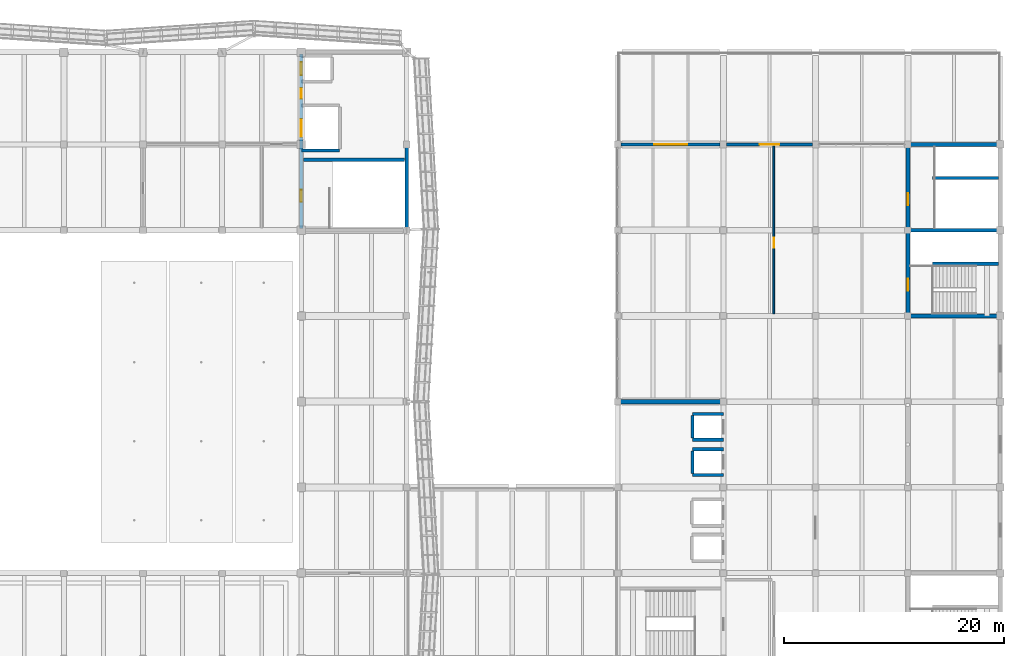
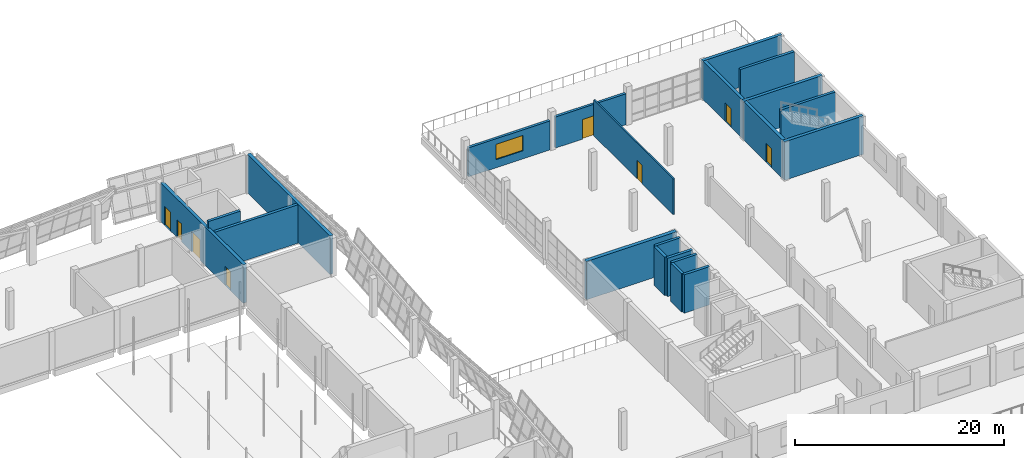
# One storey, part 58 of 71: 21 walls, 8 doors, 1 window, 9 openings.
"""IFC4 building model written with IfcOpenShell, lengths in metres."""

from ifc_helpers import new_model, si_unit, direction, frame, frame_2d, origin, place, context, subcontext, project, spatial, rectangle, extrude, material, layer, layer_set, type_object, element, fill, save


model = new_model("IFC4")

# Units and contexts
model_context = context("Model", 3, precision=1e-05, world=origin(), true_north=direction((0.0, 1.0)))
body_context = subcontext(model_context, "Body", "Model", "MODEL_VIEW")
ifc_project = project(units=[si_unit("LENGTHUNIT", "METRE"), si_unit("AREAUNIT", "SQUARE_METRE"), si_unit("VOLUMEUNIT", "CUBIC_METRE"), si_unit("PLANEANGLEUNIT", "RADIAN"), si_unit("MASSUNIT", "GRAM", prefix="KILO")], contexts=[model_context])

# Site, building, storey
site_placement = place(None, origin())
site = spatial("IfcSite", under=ifc_project, at=site_placement, CompositionType="ELEMENT")
building_placement = place(site_placement, origin())
building = spatial("IfcBuilding", under=site, at=building_placement, Name="Pellamere Symphony Hall", CompositionType="ELEMENT")
storey_placement = place(building_placement, frame((0.0, 0.0, 15.0)))
storey = spatial("IfcBuildingStorey", under=building, at=storey_placement, Name="L03", CompositionType="ELEMENT", Elevation=15.0)

# Wall, opening, window
ifc_material_1 = material(Name="Architectural Limestone-Clad Insulated Backing Assembly", Category="masonry")
ifc_layer_1 = layer(ifc_material_1, 0.280029296875, Name="Architectural Limestone-Clad Insulated Backing Assembly")
ifc_layer_set_1 = layer_set([ifc_layer_1], Name="Architectural Limestone-Clad Insulated Backing Assembly")
wall_type_1 = type_object("IfcWallType", Name="Exterior Wall EW-03 280mm", PredefinedType="SOLIDWALL", material=ifc_layer_set_1)
wall_1_placement = place(storey_placement, frame((138.300048828125, 85.199951171875, 0.0), z_axis=(0.0, 0.0, 1.0), x_axis=(1.0, 0.0, 0.0)))
wall_1 = element("IfcWall", 1, at=wall_1_placement, inside=storey, type_object=wall_type_1, Name="Exterior Wall EW-03-115 (L03)", PredefinedType="SOLIDWALL", context=body_context, shape_type="SweptSolid", body=[
    extrude(rectangle(XDim=9.0, YDim=0.280029296875, at=frame_2d((4.5, 0.0))), origin(), (0.0, 0.0, 1.0), 3.39990234375),
])
opening_1_placement = place(wall_1_placement, frame((3.0, 0.0, 0.949951171875)))
opening_1 = element("IfcOpeningElement", 2, at=opening_1_placement, cuts=wall_1, Name="Opening W077", PredefinedType="OPENING", context=body_context, shape_type="SweptSolid", body=[
    extrude(rectangle(XDim=3.0, YDim=1.800048828125, at=frame_2d((1.5, 0.89990234375))), frame((0.0, 0.14990234375, 0.0), z_axis=(0.0, -1.0, 0.0), x_axis=(1.0, 0.0, 0.0)), (0.0, 0.0, 1.0), 0.300048828125),
])
ifc_material_2 = material(Name="Thermally Broken Aluminium Triple-Glazed Acoustic Window", Category="aluminium")
window_type = type_object("IfcWindowType", Name="Window WN-16 3000x1800", PartitioningType="TRIPLE_PANEL_VERTICAL", PredefinedType="WINDOW", material=ifc_material_2)
window_placement = place(opening_1_placement, origin())
window = element("IfcWindow", 3, at=window_placement, inside=storey, type_object=window_type, Name="Exterior Window W077 (L03)", OverallHeight=1.800048828125, OverallWidth=3.0, PartitioningType="SINGLE_PANEL", PredefinedType="WINDOW", context=body_context, shape_type="SweptSolid", body=[
    extrude(rectangle(XDim=3.0, YDim=1.800048828125, at=frame_2d((1.5, 0.89990234375))), frame((0.0, 0.030029296875, 0.0), z_axis=(0.0, -1.0, 0.0), x_axis=(1.0, 0.0, 0.0)), (0.0, 0.0, 1.0), 0.06005859375),
])
fill(opening_1, window)

# Wall, opening, door
wall_2_placement = place(storey_placement, frame((147.89990234375, 85.199951171875, 0.0), z_axis=(0.0, 0.0, 1.0), x_axis=(1.0, 0.0, 0.0)))
wall_2 = element("IfcWall", 4, at=wall_2_placement, inside=storey, type_object=wall_type_1, Name="Exterior Wall EW-03-116 (L03)", PredefinedType="SOLIDWALL", context=body_context, shape_type="SweptSolid", body=[
    extrude(rectangle(XDim=7.800048828125, YDim=0.280029296875, at=frame_2d((3.89990234375, 0.0))), origin(), (0.0, 0.0, 1.0), 3.639892578125),
])
opening_2_placement = place(wall_2_placement, frame((3.0, 0.0, 0.0)))
opening_2 = element("IfcOpeningElement", 5, at=opening_2_placement, cuts=wall_2, Name="Opening TD-11", PredefinedType="OPENING", context=body_context, shape_type="SweptSolid", body=[
    extrude(rectangle(XDim=1.800048828125, YDim=2.300048828125, at=frame_2d((0.89990234375, 1.14990234375))), frame((0.0, 0.14990234375, 0.0), z_axis=(0.0, -1.0, 0.0), x_axis=(1.0, 0.0, 0.0)), (0.0, 0.0, 1.0), 0.300048828125),
])
ifc_material_3 = material(Name="Thermally Broken Bronze-Anodised Aluminium Acoustic Door", Category="aluminium")
door_type_1 = type_object("IfcDoorType", Name="Exterior Door ED-06 1800x2300", OperationType="NOTDEFINED", PredefinedType="DOOR", material=ifc_material_3)
door_1_placement = place(opening_2_placement, origin())
door_1 = element("IfcDoor", 6, at=door_1_placement, inside=storey, type_object=door_type_1, Name="Ensemble Wing North Terrace Door", OperationType="DOUBLE_DOOR_SINGLE_SWING", OverallHeight=2.300048828125, OverallWidth=1.800048828125, PredefinedType="DOOR", context=body_context, shape_type="SweptSolid", body=[
    extrude(rectangle(XDim=1.800048828125, YDim=2.300048828125, at=frame_2d((0.89990234375, 1.14990234375))), frame((0.0, 0.02490234375, 0.0), z_axis=(0.0, -1.0, 0.0), x_axis=(1.0, 0.0, 0.0)), (0.0, 0.0, 1.0), 0.050048828125),
])
fill(opening_2, door_1)

ifc_material_4 = material(Name="Practice Room STC-55 Isolated Stud Partition", Category="gypsum")
ifc_layer_2 = layer(ifc_material_4, 0.159912109375, Name="Practice Room STC-55 Isolated Stud Partition")
ifc_layer_set_2 = layer_set([ifc_layer_2], Name="Practice Room STC-55 Isolated Stud Partition")
wall_type_2 = type_object("IfcWallType", Name="Interior Partition IW-03 160mm", PredefinedType="PARTITIONING", material=ifc_layer_set_2)
wall_3_placement = place(storey_placement, frame((152.199951171875, 69.780029296875, 0.0), z_axis=(0.0, 0.0, 1.0), x_axis=(0.0, 1.0, 0.0)))
wall_3 = element("IfcWall", 7, at=wall_3_placement, inside=storey, type_object=wall_type_2, Name="Interior Partition IW-03-093 (L03)", PredefinedType="PARTITIONING", context=body_context, shape_type="SweptSolid", body=[
    extrude(rectangle(XDim=15.27001953125, YDim=0.159912109375, at=frame_2d((7.635009765625, 0.0))), origin(), (0.0, 0.0, 1.0), 4.18994140625),
])
opening_3_placement = place(wall_3_placement, frame((6.0, 0.0, 0.0)))
opening_3 = element("IfcOpeningElement", 8, at=opening_3_placement, cuts=wall_3, Name="Opening ID-RM1-054", PredefinedType="OPENING", context=body_context, shape_type="SweptSolid", body=[
    extrude(rectangle(XDim=0.949951171875, YDim=2.14990234375, at=frame_2d((0.47509765625, 1.074951171875))), frame((0.0, 0.08984375, 0.0), z_axis=(0.0, -1.0, 0.0), x_axis=(1.0, 0.0, 0.0)), (0.0, 0.0, 1.0), 0.179931640625),
])
ifc_material_5 = material(Name="Solid-Core White Oak Room Door", Category="wood")
door_type_2 = type_object("IfcDoorType", Name="Interior Door ID-RM1 950x2150", OperationType="NOTDEFINED", PredefinedType="DOOR", material=ifc_material_5)
door_2_placement = place(opening_3_placement, origin())
door_2 = element("IfcDoor", 9, at=door_2_placement, inside=storey, type_object=door_type_2, Name="Orchestra Management Door", OperationType="SINGLE_SWING_LEFT", OverallHeight=2.14990234375, OverallWidth=0.949951171875, PredefinedType="DOOR", context=body_context, shape_type="SweptSolid", body=[
    extrude(rectangle(XDim=0.949951171875, YDim=2.14990234375, at=frame_2d((0.47509765625, 1.074951171875))), frame((0.0, 0.02490234375, 0.0), z_axis=(0.0, -1.0, 0.0), x_axis=(1.0, 0.0, 0.0)), (0.0, 0.0, 1.0), 0.050048828125),
])
fill(opening_3, door_2)

# Wall
ifc_material_6 = material(Name="Concrete 50 MPa", Category="concrete")
ifc_layer_3 = layer(ifc_material_6, 0.39990234375, Name="Concrete 50 MPa")
ifc_layer_set_3 = layer_set([ifc_layer_3], Name="Concrete 50 MPa")
wall_type_3 = type_object("IfcWallType", Name="Structural Wall SW-02 400mm", PredefinedType="SHEAR", material=ifc_layer_set_3)
wall_4_placement = place(storey_placement, frame((137.800048828125, 61.800048828125, 0.0), z_axis=(0.0, 0.0, 1.0), x_axis=(1.0, 0.0, 0.0)))
element("IfcWall", 10, at=wall_4_placement, inside=storey, type_object=wall_type_3, Name="Core Shear Wall C2 N (L03)", PredefinedType="SHEAR", context=body_context, shape_type="SweptSolid", body=[
    extrude(rectangle(XDim=10.0, YDim=0.39990234375, at=frame_2d((5.0, 0.0))), origin(), (0.0, 0.0, 1.0), 4.5),
])

# Wall, openings, doors
ifc_material_7 = material(Name="Concrete 40 MPa", Category="concrete")
ifc_layer_4 = layer(ifc_material_7, 0.35009765625, Name="Concrete 40 MPa")
ifc_layer_set_4 = layer_set([ifc_layer_4], Name="Concrete 40 MPa")
wall_type_4 = type_object("IfcWallType", Name="Structural Wall SW-03 350mm", PredefinedType="SHEAR", material=ifc_layer_set_4)
wall_5_placement = place(storey_placement, frame((109.199951171875, 77.574951171875, 0.0), z_axis=(0.0, 0.0, 1.0), x_axis=(0.0, 1.0, 0.0)))
wall_5 = element("IfcWall", 11, at=wall_5_placement, inside=storey, type_object=wall_type_4, Name="Core Shear Wall C4 W (L03)", PredefinedType="SHEAR", context=body_context, shape_type="SweptSolid", body=[
    extrude(rectangle(XDim=15.85009765625, YDim=0.35009765625, at=frame_2d((7.925048828125, 0.0))), origin(), (0.0, 0.0, 1.0), 4.5),
])
opening_4_placement = place(wall_5_placement, frame((8.324951171875, 0.0, 0.0)))
opening_4 = element("IfcOpeningElement", 12, at=opening_4_placement, cuts=wall_5, Name="Opening LD-49", PredefinedType="OPENING", context=body_context, shape_type="SweptSolid", body=[
    extrude(rectangle(XDim=1.60009765625, YDim=2.39990234375, at=frame_2d((0.800048828125, 1.199951171875))), frame((0.0, 0.18505859375, 0.0), z_axis=(0.0, -1.0, 0.0), x_axis=(1.0, 0.0, 0.0)), (0.0, 0.0, 1.0), 0.3701171875),
])
opening_5_placement = place(wall_5_placement, frame((13.925048828125, 0.0, 0.0)))
opening_5 = element("IfcOpeningElement", 13, at=opening_5_placement, cuts=wall_5, Name="Opening LD-54", PredefinedType="OPENING", context=body_context, shape_type="SweptSolid", body=[
    extrude(rectangle(XDim=1.199951171875, YDim=2.199951171875, at=frame_2d((0.60009765625, 1.10009765625))), frame((0.0, 0.18505859375, 0.0), z_axis=(0.0, -1.0, 0.0), x_axis=(1.0, 0.0, 0.0)), (0.0, 0.0, 1.0), 0.3701171875),
])
opening_6_placement = place(wall_5_placement, frame((11.7900390625, 0.0, 0.0)))
opening_6 = element("IfcOpeningElement", 14, at=opening_6_placement, cuts=wall_5, Name="Opening FD-126", PredefinedType="OPENING", context=body_context, shape_type="SweptSolid", body=[
    extrude(rectangle(XDim=0.949951171875, YDim=2.10009765625, at=frame_2d((0.47509765625, 1.050048828125))), frame((0.0, 0.18505859375, 0.0), z_axis=(0.0, -1.0, 0.0), x_axis=(1.0, 0.0, 0.0)), (0.0, 0.0, 1.0), 0.3701171875),
])
opening_7_placement = place(wall_5_placement, frame((2.39990234375, 0.0, 0.0)))
opening_7 = element("IfcOpeningElement", 15, at=opening_7_placement, cuts=wall_5, Name="Opening SD-21", PredefinedType="OPENING", context=body_context, shape_type="SweptSolid", body=[
    extrude(rectangle(XDim=1.10009765625, YDim=2.199951171875, at=frame_2d((0.550048828125, 1.10009765625))), frame((0.0, 0.18505859375, 0.0), z_axis=(0.0, -1.0, 0.0), x_axis=(1.0, 0.0, 0.0)), (0.0, 0.0, 1.0), 0.3701171875),
])
ifc_material_8 = material(Name="Two-Hour Fire-Rated Steel Compartment Door", Category="steel")
door_type_3 = type_object("IfcDoorType", Name="Interior Door ID-FD3 950x2100", OperationType="NOTDEFINED", PredefinedType="DOOR", material=ifc_material_8)
door_3_placement = place(opening_6_placement, origin())
door_3 = element("IfcDoor", 16, at=door_3_placement, inside=storey, type_object=door_type_3, Name="Core C4 Stage Service and Riser Door (L03)", OperationType="SINGLE_SWING_LEFT", OverallHeight=2.10009765625, OverallWidth=0.949951171875, PredefinedType="DOOR", context=body_context, shape_type="SweptSolid", body=[
    extrude(rectangle(XDim=0.949951171875, YDim=2.10009765625, at=frame_2d((0.47509765625, 1.050048828125))), frame((0.0, 0.02490234375, 0.0), z_axis=(0.0, -1.0, 0.0), x_axis=(1.0, 0.0, 0.0)), (0.0, 0.0, 1.0), 0.050048828125),
])
fill(opening_6, door_3)
ifc_material_9 = material(Name="Stainless Steel AISI 316 Elevator Landing Door", Category="steel")
door_type_4 = type_object("IfcDoorType", Name="Interior Door ID-LD1 1200x2200", OperationType="NOTDEFINED", PredefinedType="DOOR", material=ifc_material_9)
door_4_placement = place(opening_5_placement, origin())
door_4 = element("IfcDoor", 17, at=door_4_placement, inside=storey, type_object=door_type_4, Name="Elevator PL6 Sliding Landing Door (L03)", OperationType="SLIDING_TO_RIGHT", OverallHeight=2.199951171875, OverallWidth=1.199951171875, PredefinedType="DOOR", context=body_context, shape_type="SweptSolid", body=[
    extrude(rectangle(XDim=1.199951171875, YDim=2.199951171875, at=frame_2d((0.60009765625, 1.10009765625))), frame((0.0, 0.02490234375, 0.0), z_axis=(0.0, -1.0, 0.0), x_axis=(1.0, 0.0, 0.0)), (0.0, 0.0, 1.0), 0.050048828125),
])
fill(opening_5, door_4)
ifc_material_10 = material(Name="Heavy-Duty Stainless Freight Elevator Landing Door", Category="steel")
door_type_5 = type_object("IfcDoorType", Name="Interior Door ID-LD2 1600x2400", OperationType="NOTDEFINED", PredefinedType="DOOR", material=ifc_material_10)
door_5_placement = place(opening_4_placement, origin())
door_5 = element("IfcDoor", 18, at=door_5_placement, inside=storey, type_object=door_type_5, Name="Elevator GL1 Sliding Landing Door (L03)", OperationType="SLIDING_TO_LEFT", OverallHeight=2.39990234375, OverallWidth=1.60009765625, PredefinedType="DOOR", context=body_context, shape_type="SweptSolid", body=[
    extrude(rectangle(XDim=1.60009765625, YDim=2.39990234375, at=frame_2d((0.800048828125, 1.199951171875))), frame((0.0, 0.02490234375, 0.0), z_axis=(0.0, -1.0, 0.0), x_axis=(1.0, 0.0, 0.0)), (0.0, 0.0, 1.0), 0.050048828125),
])
fill(opening_4, door_5)
ifc_material_11 = material(Name="Fire-Rated Steel Exit Stair Door", Category="steel")
door_type_6 = type_object("IfcDoorType", Name="Interior Door ID-SD1 1100x2200", OperationType="NOTDEFINED", PredefinedType="DOOR", material=ifc_material_11)
door_6_placement = place(opening_7_placement, frame((1.10009765625, 0.0, 0.0), z_axis=(0.0, 0.0, 1.0), x_axis=(-1.0, 0.0, 0.0)))
door_6 = element("IfcDoor", 19, at=door_6_placement, inside=storey, type_object=door_type_6, Name="Core C4 Exit Stair Door (L03)", OperationType="SINGLE_SWING_LEFT", OverallHeight=2.199951171875, OverallWidth=1.10009765625, PredefinedType="DOOR", context=body_context, shape_type="SweptSolid", body=[
    extrude(rectangle(XDim=1.10009765625, YDim=2.199951171875, at=frame_2d((0.550048828125, 1.10009765625))), frame((0.0, 0.02490234375, 0.0), z_axis=(0.0, -1.0, 0.0), x_axis=(1.0, 0.0, 0.0)), (0.0, 0.0, 1.0), 0.050048828125),
])
fill(opening_7, door_6)

# Walls
wall_6_placement = place(storey_placement, frame((118.800048828125, 77.574951171875, 0.0), z_axis=(0.0, 0.0, 1.0), x_axis=(0.0, 1.0, 0.0)))
element("IfcWall", 20, at=wall_6_placement, inside=storey, type_object=wall_type_4, Name="Core Shear Wall C4 E (L03)", PredefinedType="SHEAR", context=body_context, shape_type="SweptSolid", body=[
    extrude(rectangle(XDim=15.85009765625, YDim=0.35009765625, at=frame_2d((7.925048828125, 0.0))), origin(), (0.0, 0.0, 1.0), 4.5),
])
for number, where, z_axis, x_axis, name in (
    (21, (164.22509765625, 69.60009765625, 0.0), (0.0, 0.0, 1.0), (1.0, 0.0, 0.0), "Stair ST05 Enclosure Wall S (L03)"),
    (22, (164.22509765625, 77.39990234375, 0.0), (0.0, 0.0, 1.0), (1.0, 0.0, 0.0), "Stair ST05 Enclosure Wall N (L03)"),
):
    element("IfcWall", number, at=place(storey_placement, frame(where, z_axis=z_axis, x_axis=x_axis)), inside=storey, type_object=wall_type_4, Name=name, PredefinedType="SHEAR", context=body_context, shape_type="SweptSolid", body=[
        extrude(rectangle(XDim=8.75, YDim=0.35009765625, at=frame_2d((4.375, 0.0))), origin(), (0.0, 0.0, 1.0), 4.5),
    ])

# Wall, opening, door
wall_7_placement = place(storey_placement, frame((164.39990234375, 69.77490234375, 0.0), z_axis=(0.0, 0.0, 1.0), x_axis=(0.0, 1.0, 0.0)))
wall_7 = element("IfcWall", 23, at=wall_7_placement, inside=storey, type_object=wall_type_4, Name="Stair ST05 Enclosure Wall W (L03)", PredefinedType="SHEAR", context=body_context, shape_type="SweptSolid", body=[
    extrude(rectangle(XDim=7.4501953125, YDim=0.35009765625, at=frame_2d((3.72509765625, 0.0))), origin(), (0.0, 0.0, 1.0), 4.5),
])
opening_8_placement = place(wall_7_placement, frame((2.10009765625, 0.0, 0.0)))
opening_8 = element("IfcOpeningElement", 24, at=opening_8_placement, cuts=wall_7, Name="Opening SD-26", PredefinedType="OPENING", context=body_context, shape_type="SweptSolid", body=[
    extrude(rectangle(XDim=1.10009765625, YDim=2.199951171875, at=frame_2d((0.550048828125, 1.10009765625))), frame((0.0, 0.18505859375, 0.0), z_axis=(0.0, -1.0, 0.0), x_axis=(1.0, 0.0, 0.0)), (0.0, 0.0, 1.0), 0.3701171875),
])
door_7_placement = place(opening_8_placement, frame((1.10009765625, 0.0, 0.0), z_axis=(0.0, 0.0, 1.0), x_axis=(-1.0, 0.0, 0.0)))
door_7 = element("IfcDoor", 25, at=door_7_placement, inside=storey, type_object=door_type_6, Name="Exit Stair ST05 Door (L03)", OperationType="SINGLE_SWING_RIGHT", OverallHeight=2.199951171875, OverallWidth=1.10009765625, PredefinedType="DOOR", context=body_context, shape_type="SweptSolid", body=[
    extrude(rectangle(XDim=1.10009765625, YDim=2.199951171875, at=frame_2d((0.550048828125, 1.10009765625))), frame((0.0, 0.02490234375, 0.0), z_axis=(0.0, -1.0, 0.0), x_axis=(1.0, 0.0, 0.0)), (0.0, 0.0, 1.0), 0.050048828125),
])
fill(opening_8, door_7)

# Wall
wall_8_placement = place(storey_placement, frame((164.22509765625, 85.199951171875, 0.0), z_axis=(0.0, 0.0, 1.0), x_axis=(1.0, 0.0, 0.0)))
element("IfcWall", 26, at=wall_8_placement, inside=storey, type_object=wall_type_4, Name="Stair ST14 Enclosure Wall N (L03)", PredefinedType="SHEAR", context=body_context, shape_type="SweptSolid", body=[
    extrude(rectangle(XDim=8.75, YDim=0.35009765625, at=frame_2d((4.375, 0.0))), origin(), (0.0, 0.0, 1.0), 4.5),
])

# Wall, opening, door
wall_9_placement = place(storey_placement, frame((164.39990234375, 77.574951171875, 0.0), z_axis=(0.0, 0.0, 1.0), x_axis=(0.0, 1.0, 0.0)))
wall_9 = element("IfcWall", 27, at=wall_9_placement, inside=storey, type_object=wall_type_4, Name="Stair ST14 Enclosure Wall W (L03)", PredefinedType="SHEAR", context=body_context, shape_type="SweptSolid", body=[
    extrude(rectangle(XDim=7.449951171875, YDim=0.35009765625, at=frame_2d((3.72509765625, 0.0))), origin(), (0.0, 0.0, 1.0), 4.5),
])
opening_9_placement = place(wall_9_placement, frame((2.10009765625, 0.0, 0.0)))
opening_9 = element("IfcOpeningElement", 28, at=opening_9_placement, cuts=wall_9, Name="Opening SD-67", PredefinedType="OPENING", context=body_context, shape_type="SweptSolid", body=[
    extrude(rectangle(XDim=1.10009765625, YDim=2.199951171875, at=frame_2d((0.550048828125, 1.10009765625))), frame((0.0, 0.18505859375, 0.0), z_axis=(0.0, -1.0, 0.0), x_axis=(1.0, 0.0, 0.0)), (0.0, 0.0, 1.0), 0.3701171875),
])
door_8_placement = place(opening_9_placement, frame((1.10009765625, 0.0, 0.0), z_axis=(0.0, 0.0, 1.0), x_axis=(-1.0, 0.0, 0.0)))
door_8 = element("IfcDoor", 29, at=door_8_placement, inside=storey, type_object=door_type_6, Name="Exit Stair ST14 Door (L03)", OperationType="SINGLE_SWING_LEFT", OverallHeight=2.199951171875, OverallWidth=1.10009765625, PredefinedType="DOOR", context=body_context, shape_type="SweptSolid", body=[
    extrude(rectangle(XDim=1.10009765625, YDim=2.199951171875, at=frame_2d((0.550048828125, 1.10009765625))), frame((0.0, 0.02490234375, 0.0), z_axis=(0.0, -1.0, 0.0), x_axis=(1.0, 0.0, 0.0)), (0.0, 0.0, 1.0), 0.050048828125),
])
fill(opening_9, door_8)

# Walls
ifc_layer_5 = layer(ifc_material_7, 0.300048828125, Name="Concrete 40 MPa")
ifc_layer_set_5 = layer_set([ifc_layer_5], Name="Concrete 40 MPa")
wall_type_5 = type_object("IfcWallType", Name="Structural Wall SW-04 300mm", PredefinedType="SHEAR", material=ifc_layer_set_5)
for number, where, z_axis, x_axis, name in (
    (30, (166.625, 74.35009765625, 0.0), (0.0, 0.0, 1.0), (1.0, 0.0, 0.0), "Stair ST05 Discharge Divider Wall (L03)"),
    (31, (166.625, 82.14990234375, 0.0), (0.0, 0.0, 1.0), (1.0, 0.0, 0.0), "Stair ST14 Discharge Divider Wall (L03)"),
):
    element("IfcWall", number, at=place(storey_placement, frame(where, z_axis=z_axis, x_axis=x_axis)), inside=storey, type_object=wall_type_5, Name=name, PredefinedType="SHEAR", context=body_context, shape_type="SweptSolid", body=[
        extrude(rectangle(XDim=5.9951171875, YDim=0.300048828125, at=frame_2d((2.99755859375, 0.0))), origin(), (0.0, 0.0, 1.0), 4.5),
    ])
for number, where, z_axis, x_axis, name in (
    (32, (144.800048828125, 55.125, 0.0), (0.0, 0.0, 1.0), (1.0, 0.0, 0.0), "Elevator PL3 Hoistway Wall S (L03)"),
    (33, (144.800048828125, 57.47509765625, 0.0), (0.0, 0.0, 1.0), (1.0, 0.0, 0.0), "Elevator PL3 Hoistway Wall N (L03)"),
):
    element("IfcWall", number, at=place(storey_placement, frame(where, z_axis=z_axis, x_axis=x_axis)), inside=storey, type_object=wall_type_5, Name=name, PredefinedType="SHEAR", context=body_context, shape_type="SweptSolid", body=[
        extrude(rectangle(XDim=2.800048828125, YDim=0.300048828125, at=frame_2d((1.39990234375, 0.0))), origin(), (0.0, 0.0, 1.0), 4.5),
    ])
wall_10_placement = place(storey_placement, frame((144.800048828125, 55.27490234375, 0.0), z_axis=(0.0, 0.0, 1.0), x_axis=(0.0, 1.0, 0.0)))
element("IfcWall", 34, at=wall_10_placement, inside=storey, type_object=wall_type_5, Name="Elevator PL3 Hoistway Wall W (L03)", PredefinedType="SHEAR", context=body_context, shape_type="SweptSolid", body=[
    extrude(rectangle(XDim=2.050048828125, YDim=0.300048828125, at=frame_2d((1.02490234375, 0.0))), origin(), (0.0, 0.0, 1.0), 4.5),
])
for number, where, z_axis, x_axis, name in (
    (35, (144.800048828125, 58.324951171875, 0.0), (0.0, 0.0, 1.0), (1.0, 0.0, 0.0), "Elevator PL4 Hoistway Wall S (L03)"),
    (36, (144.800048828125, 60.675048828125, 0.0), (0.0, 0.0, 1.0), (1.0, 0.0, 0.0), "Elevator PL4 Hoistway Wall N (L03)"),
):
    element("IfcWall", number, at=place(storey_placement, frame(where, z_axis=z_axis, x_axis=x_axis)), inside=storey, type_object=wall_type_5, Name=name, PredefinedType="SHEAR", context=body_context, shape_type="SweptSolid", body=[
        extrude(rectangle(XDim=2.800048828125, YDim=0.300048828125, at=frame_2d((1.39990234375, 0.0))), origin(), (0.0, 0.0, 1.0), 4.5),
    ])
wall_11_placement = place(storey_placement, frame((144.800048828125, 58.47509765625, 0.0), z_axis=(0.0, 0.0, 1.0), x_axis=(0.0, 1.0, 0.0)))
element("IfcWall", 37, at=wall_11_placement, inside=storey, type_object=wall_type_5, Name="Elevator PL4 Hoistway Wall W (L03)", PredefinedType="SHEAR", context=body_context, shape_type="SweptSolid", body=[
    extrude(rectangle(XDim=2.0498046875, YDim=0.300048828125, at=frame_2d((1.02490234375, 0.0))), origin(), (0.0, 0.0, 1.0), 4.5),
])
wall_12_placement = place(storey_placement, frame((109.199951171875, 84.64990234375, 0.0), z_axis=(0.0, 0.0, 1.0), x_axis=(1.0, 0.0, 0.0)))
element("IfcWall", 38, at=wall_12_placement, inside=storey, type_object=wall_type_5, Name="Elevator GL1 Hoistway Wall S (L03)", PredefinedType="SHEAR", context=body_context, shape_type="SweptSolid", body=[
    extrude(rectangle(XDim=3.5, YDim=0.300048828125, at=frame_2d((1.75, 0.0))), origin(), (0.0, 0.0, 1.0), 5.300048828125),
])
ifc_layer_6 = layer(ifc_material_7, 0.31005859375, Name="Concrete 40 MPa")
ifc_layer_set_6 = layer_set([ifc_layer_6], Name="Concrete 40 MPa")
wall_type_6 = type_object("IfcWallType", Name="Structural Wall SW-08 310mm", PredefinedType="SHEAR", material=ifc_layer_set_6)
wall_13_placement = place(storey_placement, frame((109.39501953125, 83.800048828125, 0.0), z_axis=(0.0, 0.0, 1.0), x_axis=(1.0, 0.0, 0.0)))
element("IfcWall", 39, at=wall_13_placement, inside=storey, type_object=wall_type_6, Name="Core Stair Divider Wall C4 (L03)", PredefinedType="SHEAR", context=body_context, shape_type="SweptSolid", body=[
    extrude(rectangle(XDim=9.2099609375, YDim=0.31005859375, at=frame_2d((4.60498046875, 0.0))), origin(), (0.0, 0.0, 1.0), 4.5),
])

save(model, "model.ifc")
